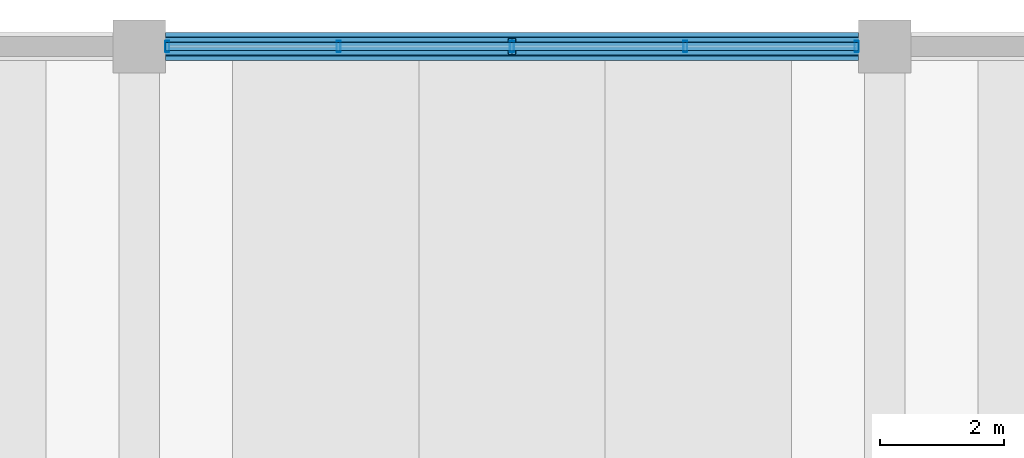
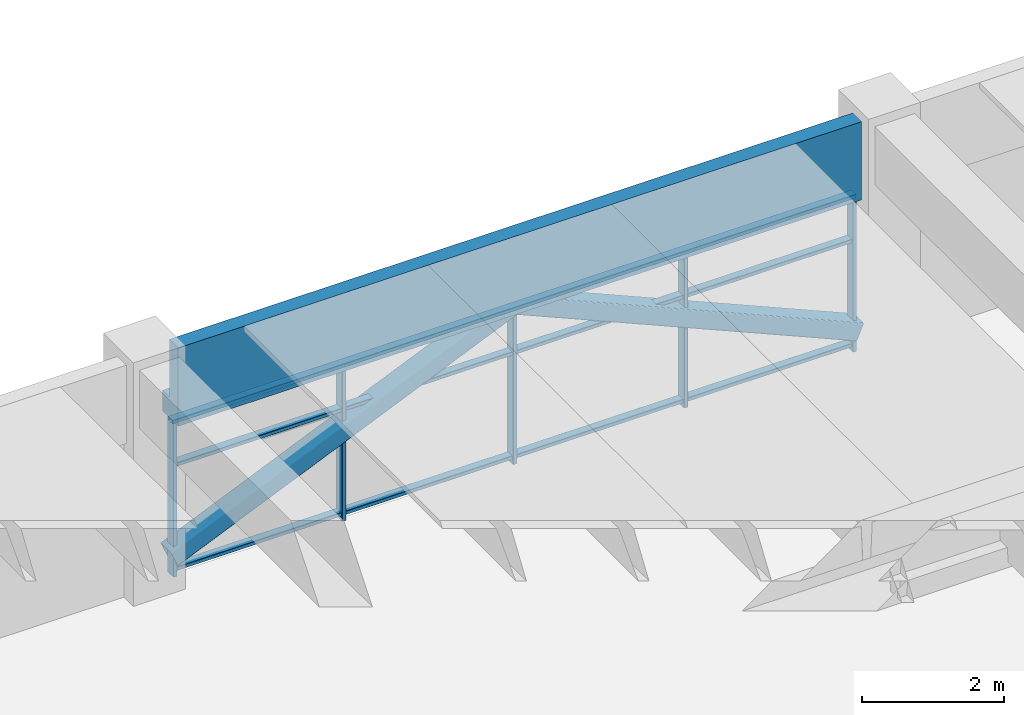
# One storey, part 16 of 50: 10 members, 1 beam, 1 element without a shape of its own.
"""IFC4 building model written with IfcOpenShell, lengths in metres."""

from ifc_helpers import new_model, si_unit, direction, frame, origin, origin_2d, place, context, subcontext, project, spatial, polyline, hollow_rectangle, outline, extrude, material, material_profile, profile_set, type_object, element, aggregate, save


model = new_model("IFC4")

# Units and contexts
model_context = context("Model", 3, precision=1e-05, world=origin(), true_north=direction((0.0, 1.0)))
body_context = subcontext(model_context, "Body", "Model", "MODEL_VIEW")
ifc_project = project(units=[si_unit("LENGTHUNIT", "METRE"), si_unit("AREAUNIT", "SQUARE_METRE"), si_unit("VOLUMEUNIT", "CUBIC_METRE"), si_unit("PLANEANGLEUNIT", "RADIAN"), si_unit("MASSUNIT", "GRAM", prefix="KILO")], contexts=[model_context])

# Site, building, storey
site_placement = place(None, origin())
site = spatial("IfcSite", under=ifc_project, at=site_placement, CompositionType="ELEMENT")
building_placement = place(site_placement, origin())
building = spatial("IfcBuilding", under=site, at=building_placement, Name="Girod Span Mobility Hub", CompositionType="ELEMENT")
storey_placement = place(building_placement, frame((0.0, 0.0, 5.39990234375)))
storey = spatial("IfcBuildingStorey", under=building, at=storey_placement, Name="L01", CompositionType="ELEMENT", Elevation=5.39990234375)

# Beam
ifc_material_1 = material(Name="Concrete C40/50", Category="concrete")
ifc_material_profile_1 = material_profile(ifc_material_1, outline(polyline([(-0.22509765625, -0.675048828125), (0.22509765625, -0.675048828125), (0.22509765625, -0.324951171875), (0.02490234375, -0.324951171875), (0.02490234375, 0.675048828125), (-0.22509765625, 0.675048828125), (-0.22509765625, -0.675048828125)])), Name="SP-450X1350")
ifc_profile_set_1 = profile_set([ifc_material_profile_1], Name="Concrete C40/50")
beam_type = type_object("IfcBeamType", Name="BM-SP-450X1350", PredefinedType="SPANDREL", material=ifc_profile_set_1)
beam_placement = place(storey_placement, frame((36.422119140625, 114.0, 3.364990234375), z_axis=(1.0, 0.0, 0.0), x_axis=(0.0, 1.0, 0.0)))
element("IfcBeam", 1, at=beam_placement, inside=storey, type_object=beam_type, Name="Girder 4-5/J L01", PredefinedType="SPANDREL", context=body_context, shape_type="SweptSolid", body=[
    extrude(outline(polyline([(-0.22509765625, -0.675048828125), (0.22509765625, -0.675048828125), (0.22509765625, -0.324951171875), (0.02490234375, -0.324951171875), (0.02490234375, 0.675048828125), (-0.22509765625, 0.675048828125), (-0.22509765625, -0.675048828125)])), origin(), (0.0, 0.0, 1.0), 11.15576171875),
])

# Curtain wall, members
ifc_material_2 = material(Name="Thermally Broken Anodised Aluminium", Category="aluminium")
curtain_wall_type = type_object("IfcCurtainWallType", Name="CW-1115X269", PredefinedType="USERDEFINED", material=ifc_material_2)
curtain_wall_placement = place(storey_placement, origin())
curtain_wall = element("IfcCurtainWall", 2, at=curtain_wall_placement, inside=storey, type_object=curtain_wall_type, Name="Concourse Storefront CW-L01-N04 L01", ObjectType="CONCOURSE STOREFRONT", PredefinedType="USERDEFINED")
ifc_material_3 = material(Name="Thermally Broken Anodised Aluminium", Category="aluminium")
ifc_material_profile_2 = material_profile(ifc_material_3, hollow_rectangle(XDim=0.179931640625, YDim=0.06494140625, WallThickness=0.00390625, InnerFilletRadius=0.00390625, OuterFilletRadius=0.008056640625, at=origin_2d()), Name="CW-ML-65X180")
ifc_profile_set_2 = profile_set([ifc_material_profile_2], Name="Thermally Broken Anodised Aluminium")
member_type_1 = type_object("IfcMemberType", Name="CWM-ML-2", PredefinedType="MULLION", material=ifc_profile_set_2)
member_1_placement = place(storey_placement, frame((36.455078125, 114.0, 0.0), z_axis=(0.0, 0.0, 1.0), x_axis=(0.0, 1.0, 0.0)))
member_1 = element("IfcMember", 3, at=member_1_placement, type_object=member_type_1, Name="Curtain Wall Mullion CW-L01-N04-M0", PredefinedType="MULLION", context=body_context, shape_type="SweptSolid", body=[
    extrude(hollow_rectangle(XDim=0.179931640625, YDim=0.06494140625, WallThickness=0.00390625, InnerFilletRadius=0.00390625, OuterFilletRadius=0.008056640625, at=origin_2d()), origin(), (0.0, 0.0, 1.0), 2.690185546875),
])
member_2_placement = place(storey_placement, frame((39.21142578125, 114.0, 0.0), z_axis=(0.0, 0.0, 1.0), x_axis=(0.0, 1.0, 0.0)))
member_2 = element("IfcMember", 4, at=member_2_placement, type_object=member_type_1, Name="Curtain Wall Mullion CW-L01-N04-M1", PredefinedType="MULLION", context=body_context, shape_type="SweptSolid", body=[
    extrude(hollow_rectangle(XDim=0.179931640625, YDim=0.06494140625, WallThickness=0.00390625, InnerFilletRadius=0.00390625, OuterFilletRadius=0.008056640625, at=origin_2d()), origin(), (0.0, 0.0, 1.0), 2.690185546875),
])
member_3_placement = place(storey_placement, frame((42.0, 114.0, 0.0), z_axis=(0.0, 0.0, 1.0), x_axis=(0.0, 1.0, 0.0)))
member_3 = element("IfcMember", 5, at=member_3_placement, type_object=member_type_1, Name="Curtain Wall Mullion CW-L01-N04-M2", PredefinedType="MULLION", context=body_context, shape_type="SweptSolid", body=[
    extrude(hollow_rectangle(XDim=0.179931640625, YDim=0.06494140625, WallThickness=0.00390625, InnerFilletRadius=0.00390625, OuterFilletRadius=0.008056640625, at=origin_2d()), origin(), (0.0, 0.0, 1.0), 2.690185546875),
])
member_4_placement = place(storey_placement, frame((44.78857421875, 114.0, 0.0), z_axis=(0.0, 0.0, 1.0), x_axis=(0.0, 1.0, 0.0)))
member_4 = element("IfcMember", 6, at=member_4_placement, type_object=member_type_1, Name="Curtain Wall Mullion CW-L01-N04-M3", PredefinedType="MULLION", context=body_context, shape_type="SweptSolid", body=[
    extrude(hollow_rectangle(XDim=0.179931640625, YDim=0.06494140625, WallThickness=0.00390625, InnerFilletRadius=0.00390625, OuterFilletRadius=0.008056640625, at=origin_2d()), origin(), (0.0, 0.0, 1.0), 2.690185546875),
])
member_5_placement = place(storey_placement, frame((47.544921875, 114.0, 0.0), z_axis=(0.0, 0.0, 1.0), x_axis=(0.0, 1.0, 0.0)))
member_5 = element("IfcMember", 7, at=member_5_placement, type_object=member_type_1, Name="Curtain Wall Mullion CW-L01-N04-M4", PredefinedType="MULLION", context=body_context, shape_type="SweptSolid", body=[
    extrude(hollow_rectangle(XDim=0.179931640625, YDim=0.06494140625, WallThickness=0.00390625, InnerFilletRadius=0.00390625, OuterFilletRadius=0.008056640625, at=origin_2d()), origin(), (0.0, 0.0, 1.0), 2.690185546875),
])
ifc_material_4 = material(Name="Thermally Broken Anodised Aluminium", Category="aluminium")
ifc_material_profile_3 = material_profile(ifc_material_4, hollow_rectangle(XDim=0.135009765625, YDim=0.06494140625, WallThickness=0.00390625, InnerFilletRadius=0.00390625, OuterFilletRadius=0.008056640625, at=origin_2d()), Name="CW-TR-65X135")
ifc_profile_set_3 = profile_set([ifc_material_profile_3], Name="Thermally Broken Anodised Aluminium")
member_type_2 = type_object("IfcMemberType", Name="CWM-TR-2", PredefinedType="USERDEFINED", material=ifc_profile_set_3)
member_6_placement = place(storey_placement, frame((36.423095703125, 114.0, 0.107666015625), z_axis=(1.0, 0.0, 0.0), x_axis=(0.0, 1.0, 0.0)))
member_6 = element("IfcMember", 8, at=member_6_placement, type_object=member_type_2, Name="Curtain Wall Transom CW-L01-N04-T1", ObjectType="TRANSOM", PredefinedType="USERDEFINED", context=body_context, shape_type="SweptSolid", body=[
    extrude(hollow_rectangle(XDim=0.135009765625, YDim=0.06494140625, WallThickness=0.00390625, InnerFilletRadius=0.00390625, OuterFilletRadius=0.008056640625, at=origin_2d()), origin(), (0.0, 0.0, 1.0), 11.15380859375),
])
member_7_placement = place(storey_placement, frame((36.423095703125, 114.0, 1.904296875), z_axis=(1.0, 0.0, 0.0), x_axis=(0.0, 1.0, 0.0)))
member_7 = element("IfcMember", 9, at=member_7_placement, type_object=member_type_2, Name="Curtain Wall Transom CW-L01-N04-T2", ObjectType="TRANSOM", PredefinedType="USERDEFINED", context=body_context, shape_type="SweptSolid", body=[
    extrude(hollow_rectangle(XDim=0.135009765625, YDim=0.06494140625, WallThickness=0.00390625, InnerFilletRadius=0.00390625, OuterFilletRadius=0.008056640625, at=origin_2d()), origin(), (0.0, 0.0, 1.0), 11.15380859375),
])
member_8_placement = place(storey_placement, frame((36.423095703125, 114.0, 2.65771484375), z_axis=(1.0, 0.0, 0.0), x_axis=(0.0, 1.0, 0.0)))
member_8 = element("IfcMember", 10, at=member_8_placement, type_object=member_type_2, Name="Curtain Wall Transom CW-L01-N04-T3", ObjectType="TRANSOM", PredefinedType="USERDEFINED", context=body_context, shape_type="SweptSolid", body=[
    extrude(hollow_rectangle(XDim=0.135009765625, YDim=0.06494140625, WallThickness=0.00390625, InnerFilletRadius=0.00390625, OuterFilletRadius=0.008056640625, at=origin_2d()), origin(), (0.0, 0.0, 1.0), 11.15380859375),
])
aggregate(curtain_wall, [member_1, member_2, member_3, member_4, member_5, member_6, member_7, member_8])

# Members
ifc_material_5 = material(Name="Steel HSS A500 Grade C", Category="steel")
ifc_material_profile_4 = material_profile(ifc_material_5, hollow_rectangle(XDim=0.304931640625, YDim=0.304931640625, WallThickness=0.014892578125, InnerFilletRadius=0.014892578125, OuterFilletRadius=0.029541015625, at=origin_2d()), Name="HSS305X305X16")
ifc_profile_set_4 = profile_set([ifc_material_profile_4], Name="Steel HSS A500 Grade C")
member_type_3 = type_object("IfcMemberType", Name="MB-BR-HSS305", PredefinedType="BRACE", material=ifc_profile_set_4)
for number, where, z_axis, x_axis, name in (
    (11, (36.405029296875, 114.0, 0.35009765625), (0.917828641156, 0.0, 0.396976807223), (0.0, 1.0, 0.0), "Perimeter Chevron Brace 4/J-L L01"),
    (12, (47.594970703125, 114.0, 0.35009765625), (-0.917828641156, 0.0, 0.396976807223), (0.0, -1.0, 0.0), "Perimeter Chevron Brace 4/J-R L01"),
):
    element("IfcMember", number, at=place(storey_placement, frame(where, z_axis=z_axis, x_axis=x_axis)), inside=storey, type_object=member_type_3, Name=name, PredefinedType="BRACE", context=body_context, shape_type="SweptSolid", body=[
        extrude(hollow_rectangle(XDim=0.304931640625, YDim=0.304931640625, WallThickness=0.014892578125, InnerFilletRadius=0.014892578125, OuterFilletRadius=0.029541015625, at=origin_2d()), origin(), (0.0, 0.0, 1.0), 6.095947265625),
    ])

save(model, "model.ifc")
